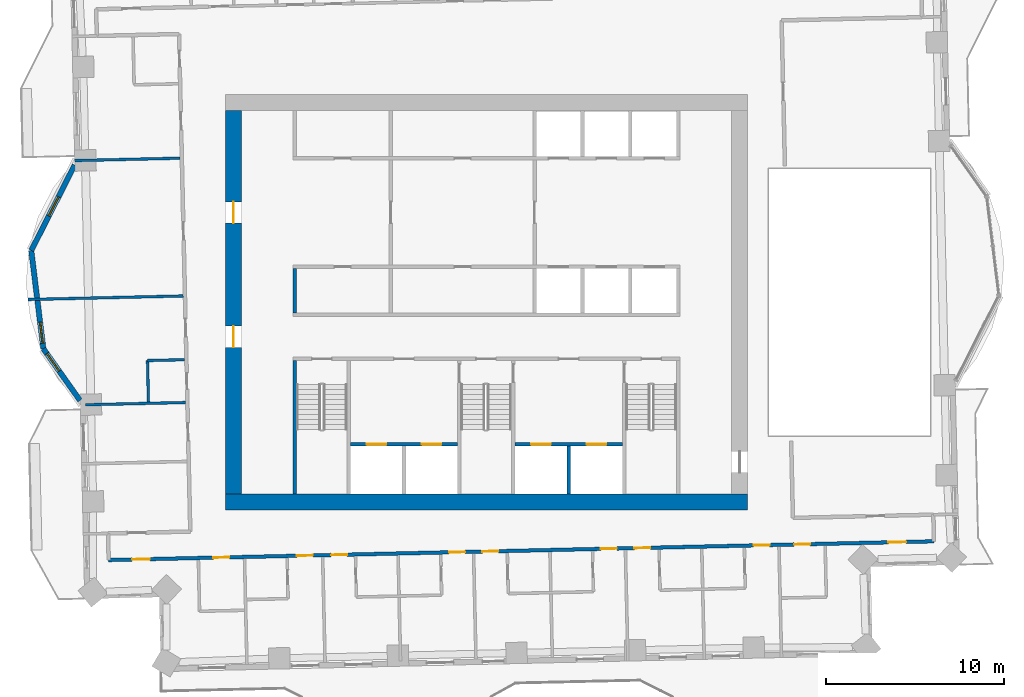
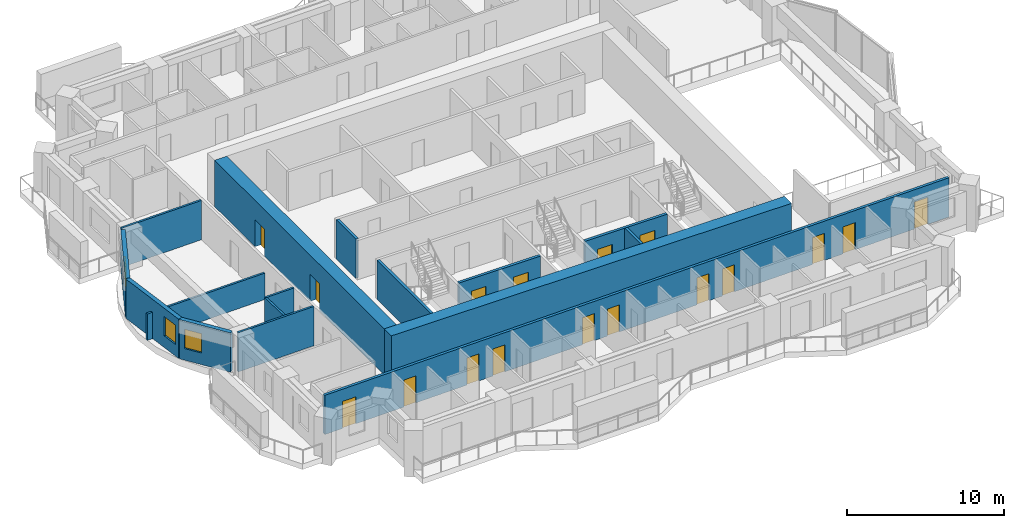
# One storey, part 5 of 14: 17 doors, 16 walls, 3 windows, 20 openings.
"""IFC4 building model written with IfcOpenShell, lengths in metres."""

from ifc_helpers import new_model, si_unit, direction, frame, frame_2d, origin, place, context, subcontext, project, spatial, rectangle, extrude, material, layer, layer_set, type_object, element, fill, save


model = new_model("IFC4")

# Units and contexts
model_context = context("Model", 3, precision=1e-05, world=origin(), true_north=direction((0.0, 1.0)))
body_context = subcontext(model_context, "Body", "Model", "MODEL_VIEW")
ifc_project = project(units=[si_unit("LENGTHUNIT", "METRE"), si_unit("AREAUNIT", "SQUARE_METRE"), si_unit("VOLUMEUNIT", "CUBIC_METRE"), si_unit("PLANEANGLEUNIT", "RADIAN"), si_unit("MASSUNIT", "GRAM", prefix="KILO")], contexts=[model_context])

# Site, building, storey
site_placement = place(None, origin())
site = spatial("IfcSite", under=ifc_project, at=site_placement, CompositionType="ELEMENT")
building_placement = place(site_placement, origin())
building = spatial("IfcBuilding", under=site, at=building_placement, Name="Mangrove Gate Tower", CompositionType="ELEMENT")
storey_placement = place(building_placement, frame((0.0, 0.0, 182.5)))
storey = spatial("IfcBuildingStorey", under=building, at=storey_placement, Name="L46", CompositionType="ELEMENT", Elevation=182.5)

# Wall
ifc_material_1 = material(Name="Concrete C32/40", Category="concrete")
ifc_layer_1 = layer(ifc_material_1, 0.199951171875)
ifc_layer_set_1 = layer_set([ifc_layer_1], Name="Core room wall 200 C32/40")
wall_type_1 = type_object("IfcWallType", Name="Core room wall 200 C32/40", PredefinedType="STANDARD", material=ifc_layer_set_1)
wall_1_placement = place(storey_placement, frame((-10.800048828125, -0.60009765625, 0.0), z_axis=(0.0, 0.0, 1.0), x_axis=(0.0, 1.0, 0.0)))
element("IfcWall", 1, at=wall_1_placement, inside=storey, type_object=wall_type_1, Name="WALL-L46-CORE-19", PredefinedType="STANDARD", context=body_context, shape_type="SweptSolid", body=[
    extrude(rectangle(XDim=2.5, YDim=0.199951171875, at=frame_2d((1.25, 0.0))), origin(), (0.0, 0.0, 1.0), 3.050048828125),
])

# Wall, openings, doors
ifc_material_2 = material(Name="Concrete C60/75", Category="concrete")
ifc_layer_2 = layer(ifc_material_2, 0.199951171875)
ifc_layer_set_2 = layer_set([ifc_layer_2], Name="Core shaft wall 200 C60/75")
wall_type_2 = type_object("IfcWallType", Name="Core shaft wall 200 C60/75", PredefinedType="SHEAR", material=ifc_layer_set_2)
wall_2_placement = place(storey_placement, frame((-7.64990234375, -8.0, 0.0), z_axis=(0.0, 0.0, 1.0), x_axis=(1.0, 0.0, 0.0)))
wall_2 = element("IfcWall", 2, at=wall_2_placement, inside=storey, type_object=wall_type_2, Name="WALL-L46-CORE-15", PredefinedType="SHEAR", context=body_context, shape_type="SweptSolid", body=[
    extrude(rectangle(XDim=6.0, YDim=0.199951171875, at=frame_2d((3.0, 0.0))), origin(), (0.0, 0.0, 1.0), 3.050048828125),
])
opening_1_placement = place(wall_2_placement, frame((0.89990234375, 0.0, 0.0)))
opening_1 = element("IfcOpeningElement", 3, at=opening_1_placement, cuts=wall_2, Name="Opening LD", PredefinedType="OPENING", context=body_context, shape_type="SweptSolid", body=[
    extrude(rectangle(XDim=1.10009765625, YDim=2.10009765625, at=frame_2d((0.550048828125, 1.050048828125))), frame((0.0, 0.10986328125, 0.0), z_axis=(0.0, -1.0, 0.0), x_axis=(1.0, 0.0, 0.0)), (0.0, 0.0, 1.0), 0.219970703125),
])
opening_2_placement = place(wall_2_placement, frame((4.0, 0.0, 0.0)))
opening_2 = element("IfcOpeningElement", 4, at=opening_2_placement, cuts=wall_2, Name="Opening LD", PredefinedType="OPENING", context=body_context, shape_type="SweptSolid", body=[
    extrude(rectangle(XDim=1.10009765625, YDim=2.10009765625, at=frame_2d((0.550048828125, 1.050048828125))), frame((0.0, 0.10986328125, 0.0), z_axis=(0.0, -1.0, 0.0), x_axis=(1.0, 0.0, 0.0)), (0.0, 0.0, 1.0), 0.219970703125),
])
ifc_material_3 = material(Name="Stainless steel 316", Category="steel")
door_type_1 = type_object("IfcDoorType", Name="Lift landing door 1100x2100", OperationType="SLIDING_TO_LEFT", PredefinedType="DOOR", material=ifc_material_3)
door_1_placement = place(opening_1_placement, origin())
door_1 = element("IfcDoor", 5, at=door_1_placement, inside=storey, type_object=door_type_1, Name="Landing door LD SVL1", OperationType="SLIDING_TO_LEFT", OverallHeight=2.10009765625, OverallWidth=1.10009765625, PredefinedType="DOOR", context=body_context, shape_type="SweptSolid", body=[
    extrude(rectangle(XDim=1.10009765625, YDim=2.10009765625, at=frame_2d((0.550048828125, 1.050048828125))), frame((0.0, 0.02490234375, 0.0), z_axis=(0.0, -1.0, 0.0), x_axis=(1.0, 0.0, 0.0)), (0.0, 0.0, 1.0), 0.050048828125),
])
fill(opening_1, door_1)
door_2_placement = place(opening_2_placement, origin())
door_2 = element("IfcDoor", 6, at=door_2_placement, inside=storey, type_object=door_type_1, Name="Landing door LD SVL2", OperationType="SLIDING_TO_LEFT", OverallHeight=2.10009765625, OverallWidth=1.10009765625, PredefinedType="DOOR", context=body_context, shape_type="SweptSolid", body=[
    extrude(rectangle(XDim=1.10009765625, YDim=2.10009765625, at=frame_2d((0.550048828125, 1.050048828125))), frame((0.0, 0.02490234375, 0.0), z_axis=(0.0, -1.0, 0.0), x_axis=(1.0, 0.0, 0.0)), (0.0, 0.0, 1.0), 0.050048828125),
])
fill(opening_2, door_2)

wall_3_placement = place(storey_placement, frame((1.60009765625, -8.0, 0.0), z_axis=(0.0, 0.0, 1.0), x_axis=(1.0, 0.0, 0.0)))
wall_3 = element("IfcWall", 7, at=wall_3_placement, inside=storey, type_object=wall_type_2, Name="WALL-L46-CORE-17", PredefinedType="SHEAR", context=body_context, shape_type="SweptSolid", body=[
    extrude(rectangle(XDim=6.0498046875, YDim=0.199951171875, at=frame_2d((3.02490234375, 0.0))), origin(), (0.0, 0.0, 1.0), 3.050048828125),
])
opening_3_placement = place(wall_3_placement, frame((0.91259765625, 0.0, 0.0)))
opening_3 = element("IfcOpeningElement", 8, at=opening_3_placement, cuts=wall_3, Name="Opening LD", PredefinedType="OPENING", context=body_context, shape_type="SweptSolid", body=[
    extrude(rectangle(XDim=1.10009765625, YDim=2.10009765625, at=frame_2d((0.550048828125, 1.050048828125))), frame((0.0, 0.10986328125, 0.0), z_axis=(0.0, -1.0, 0.0), x_axis=(1.0, 0.0, 0.0)), (0.0, 0.0, 1.0), 0.219970703125),
])
opening_4_placement = place(wall_3_placement, frame((4.03759765625, 0.0, 0.0)))
opening_4 = element("IfcOpeningElement", 9, at=opening_4_placement, cuts=wall_3, Name="Opening LD", PredefinedType="OPENING", context=body_context, shape_type="SweptSolid", body=[
    extrude(rectangle(XDim=1.10009765625, YDim=2.10009765625, at=frame_2d((0.550048828125, 1.050048828125))), frame((0.0, 0.10986328125, 0.0), z_axis=(0.0, -1.0, 0.0), x_axis=(1.0, 0.0, 0.0)), (0.0, 0.0, 1.0), 0.219970703125),
])
door_3_placement = place(opening_3_placement, origin())
door_3 = element("IfcDoor", 10, at=door_3_placement, inside=storey, type_object=door_type_1, Name="Landing door LD FFL1", OperationType="SLIDING_TO_LEFT", OverallHeight=2.10009765625, OverallWidth=1.10009765625, PredefinedType="DOOR", context=body_context, shape_type="SweptSolid", body=[
    extrude(rectangle(XDim=1.10009765625, YDim=2.10009765625, at=frame_2d((0.550048828125, 1.050048828125))), frame((0.0, 0.02490234375, 0.0), z_axis=(0.0, -1.0, 0.0), x_axis=(1.0, 0.0, 0.0)), (0.0, 0.0, 1.0), 0.050048828125),
])
fill(opening_3, door_3)
door_4_placement = place(opening_4_placement, origin())
door_4 = element("IfcDoor", 11, at=door_4_placement, inside=storey, type_object=door_type_1, Name="Landing door LD FFL2", OperationType="SLIDING_TO_LEFT", OverallHeight=2.10009765625, OverallWidth=1.10009765625, PredefinedType="DOOR", context=body_context, shape_type="SweptSolid", body=[
    extrude(rectangle(XDim=1.10009765625, YDim=2.10009765625, at=frame_2d((0.550048828125, 1.050048828125))), frame((0.0, 0.02490234375, 0.0), z_axis=(0.0, -1.0, 0.0), x_axis=(1.0, 0.0, 0.0)), (0.0, 0.0, 1.0), 0.050048828125),
])
fill(opening_4, door_4)

# Walls
wall_4_placement = place(storey_placement, frame((4.625, -10.800048828125, 0.0), z_axis=(0.0, 0.0, 1.0), x_axis=(0.0, 1.0, 0.0)))
element("IfcWall", 12, at=wall_4_placement, inside=storey, type_object=wall_type_2, Name="WALL-L46-CORE-18", PredefinedType="SHEAR", context=body_context, shape_type="SweptSolid", body=[
    extrude(rectangle(XDim=2.699951171875, YDim=0.199951171875, at=frame_2d((1.35009765625, 0.0))), origin(), (0.0, 0.0, 1.0), 3.050048828125),
])
ifc_material_4 = material(Name="Concrete C60/75", Category="concrete")
ifc_layer_3 = layer(ifc_material_4, 0.199951171875)
ifc_layer_set_3 = layer_set([ifc_layer_3], Name="Core stair wall 200 C60/75")
wall_type_3 = type_object("IfcWallType", Name="Core stair wall 200 C60/75", PredefinedType="SHEAR", material=ifc_layer_set_3)
wall_5_placement = place(storey_placement, frame((-10.800048828125, -10.800048828125, 0.0), z_axis=(0.0, 0.0, 1.0), x_axis=(0.0, 1.0, 0.0)))
element("IfcWall", 13, at=wall_5_placement, inside=storey, type_object=wall_type_3, Name="WALL-L46-CORE-9", PredefinedType="SHEAR", context=body_context, shape_type="SweptSolid", body=[
    extrude(rectangle(XDim=7.5, YDim=0.199951171875, at=frame_2d((3.75, 0.0))), origin(), (0.0, 0.0, 1.0), 3.050048828125),
])
ifc_material_5 = material(Name="Concrete C60/75", Category="concrete")
ifc_layer_4 = layer(ifc_material_5, 0.89990234375)
ifc_layer_set_4 = layer_set([ifc_layer_4], Name="Core wall 900 C60/75")
wall_type_4 = type_object("IfcWallType", Name="Core wall 900 C60/75", PredefinedType="SHEAR", material=ifc_layer_set_4)
wall_6_placement = place(storey_placement, frame((-14.699951171875, -11.25, 0.0), z_axis=(0.0, 0.0, 1.0), x_axis=(1.0, 0.0, 0.0)))
element("IfcWall", 14, at=wall_6_placement, inside=storey, type_object=wall_type_4, Name="WALL-L46-CORE-1", PredefinedType="SHEAR", context=body_context, shape_type="SweptSolid", body=[
    extrude(rectangle(XDim=29.39990234375, YDim=0.89990234375, at=frame_2d((14.699951171875, 0.0))), origin(), (0.0, 0.0, 1.0), 3.60009765625),
])

# Wall, openings, doors
wall_7_placement = place(storey_placement, frame((-14.25, -10.800048828125, 0.0), z_axis=(0.0, 0.0, 1.0), x_axis=(0.0, 1.0, 0.0)))
wall_7 = element("IfcWall", 15, at=wall_7_placement, inside=storey, type_object=wall_type_4, Name="WALL-L46-CORE-3", PredefinedType="SHEAR", context=body_context, shape_type="SweptSolid", body=[
    extrude(rectangle(XDim=21.60009765625, YDim=0.89990234375, at=frame_2d((10.800048828125, 0.0))), origin(), (0.0, 0.0, 1.0), 3.60009765625),
])
opening_5_placement = place(wall_7_placement, frame((8.25, 0.0, 0.0)))
opening_5 = element("IfcOpeningElement", 16, at=opening_5_placement, cuts=wall_7, Name="Opening CD", PredefinedType="OPENING", context=body_context, shape_type="SweptSolid", body=[
    extrude(rectangle(XDim=1.199951171875, YDim=2.10009765625, at=frame_2d((0.60009765625, 1.050048828125))), frame((0.0, 0.4599609375, 0.0), z_axis=(0.0, -1.0, 0.0), x_axis=(1.0, 0.0, 0.0)), (0.0, 0.0, 1.0), 0.919921875),
])
opening_6_placement = place(wall_7_placement, frame((15.25, 0.0, 0.0)))
opening_6 = element("IfcOpeningElement", 17, at=opening_6_placement, cuts=wall_7, Name="Opening CD", PredefinedType="OPENING", context=body_context, shape_type="SweptSolid", body=[
    extrude(rectangle(XDim=1.199951171875, YDim=2.10009765625, at=frame_2d((0.60009765625, 1.050048828125))), frame((0.0, 0.4599609375, 0.0), z_axis=(0.0, -1.0, 0.0), x_axis=(1.0, 0.0, 0.0)), (0.0, 0.0, 1.0), 0.919921875),
])
ifc_material_6 = material(Name="Fire-rated steel door set", Category="steel")
door_type_2 = type_object("IfcDoorType", Name="Core ring door FD60 1200x2100", OperationType="DOUBLE_DOOR_SINGLE_SWING", PredefinedType="DOOR", material=ifc_material_6)
door_5_placement = place(opening_5_placement, origin())
door_5 = element("IfcDoor", 18, at=door_5_placement, inside=storey, type_object=door_type_2, Name="Core ring door W1", OperationType="DOUBLE_DOOR_SINGLE_SWING", OverallHeight=2.10009765625, OverallWidth=1.199951171875, PredefinedType="DOOR", context=body_context, shape_type="SweptSolid", body=[
    extrude(rectangle(XDim=1.199951171875, YDim=2.10009765625, at=frame_2d((0.60009765625, 1.050048828125))), frame((0.0, 0.02490234375, 0.0), z_axis=(0.0, -1.0, 0.0), x_axis=(1.0, 0.0, 0.0)), (0.0, 0.0, 1.0), 0.050048828125),
])
fill(opening_5, door_5)
door_6_placement = place(opening_6_placement, origin())
door_6 = element("IfcDoor", 19, at=door_6_placement, inside=storey, type_object=door_type_2, Name="Core ring door W2", OperationType="DOUBLE_DOOR_SINGLE_SWING", OverallHeight=2.10009765625, OverallWidth=1.199951171875, PredefinedType="DOOR", context=body_context, shape_type="SweptSolid", body=[
    extrude(rectangle(XDim=1.199951171875, YDim=2.10009765625, at=frame_2d((0.60009765625, 1.050048828125))), frame((0.0, 0.02490234375, 0.0), z_axis=(0.0, -1.0, 0.0), x_axis=(1.0, 0.0, 0.0)), (0.0, 0.0, 1.0), 0.050048828125),
])
fill(opening_6, door_6)

ifc_material_7 = material(Name="Gypsum board on steel stud, EI 60", Category="steel")
ifc_layer_5 = layer(ifc_material_7, 0.199951171875)
ifc_layer_set_5 = layer_set([ifc_layer_5], Name="Corridor wall EI 60")
wall_type_5 = type_object("IfcWallType", Name="Corridor wall EI 60", PredefinedType="PARTITIONING", material=ifc_layer_set_5)
wall_8_placement = place(storey_placement, frame((-21.279052734375, -14.52294921875, 0.0), z_axis=(0.0, 0.0, 1.0), x_axis=(0.999742878501, 0.022675468818, 0.0)))
wall_8 = element("IfcWall", 20, at=wall_8_placement, inside=storey, type_object=wall_type_5, Name="WALL-L46-024", PredefinedType="PARTITIONING", context=body_context, shape_type="SweptSolid", body=[
    extrude(rectangle(XDim=46.47998046875, YDim=0.199951171875, at=frame_2d((23.239990234375, 0.0))), origin(), (0.0, 0.0, 1.0), 3.050048828125),
])
opening_7_placement = place(wall_8_placement, frame((1.324951171875, 0.0, 0.0)))
opening_7 = element("IfcOpeningElement", 21, at=opening_7_placement, cuts=wall_8, Name="Opening AD", PredefinedType="OPENING", context=body_context, shape_type="SweptSolid", body=[
    extrude(rectangle(XDim=1.0, YDim=2.10009765625, at=frame_2d((0.5, 1.050048828125))), frame((0.0, 0.10986328125, 0.0), z_axis=(0.0, -1.0, 0.0), x_axis=(1.0, 0.0, 0.0)), (0.0, 0.0, 1.0), 0.219970703125),
])
opening_8_placement = place(wall_8_placement, frame((5.89990234375, 0.0, 0.0)))
opening_8 = element("IfcOpeningElement", 22, at=opening_8_placement, cuts=wall_8, Name="Opening SD", PredefinedType="OPENING", context=body_context, shape_type="SweptSolid", body=[
    extrude(rectangle(XDim=0.89990234375, YDim=2.10009765625, at=frame_2d((0.449951171875, 1.050048828125))), frame((0.0, 0.10986328125, 0.0), z_axis=(0.0, -1.0, 0.0), x_axis=(1.0, 0.0, 0.0)), (0.0, 0.0, 1.0), 0.219970703125),
])
opening_9_placement = place(wall_8_placement, frame((10.60009765625, 0.0, 0.0)))
opening_9 = element("IfcOpeningElement", 23, at=opening_9_placement, cuts=wall_8, Name="Opening BD", PredefinedType="OPENING", context=body_context, shape_type="SweptSolid", body=[
    extrude(rectangle(XDim=0.89990234375, YDim=2.10009765625, at=frame_2d((0.449951171875, 1.050048828125))), frame((0.0, 0.10986328125, 0.0), z_axis=(0.0, -1.0, 0.0), x_axis=(1.0, 0.0, 0.0)), (0.0, 0.0, 1.0), 0.219970703125),
])
opening_10_placement = place(wall_8_placement, frame((12.52490234375, 0.0, 0.0)))
opening_10 = element("IfcOpeningElement", 24, at=opening_10_placement, cuts=wall_8, Name="Opening BD", PredefinedType="OPENING", context=body_context, shape_type="SweptSolid", body=[
    extrude(rectangle(XDim=0.89990234375, YDim=2.10009765625, at=frame_2d((0.449951171875, 1.050048828125))), frame((0.0, 0.10986328125, 0.0), z_axis=(0.0, -1.0, 0.0), x_axis=(1.0, 0.0, 0.0)), (0.0, 0.0, 1.0), 0.219970703125),
])
opening_11_placement = place(wall_8_placement, frame((19.175048828125, 0.0, 0.0)))
opening_11 = element("IfcOpeningElement", 25, at=opening_11_placement, cuts=wall_8, Name="Opening BD", PredefinedType="OPENING", context=body_context, shape_type="SweptSolid", body=[
    extrude(rectangle(XDim=0.89990234375, YDim=2.10009765625, at=frame_2d((0.449951171875, 1.050048828125))), frame((0.0, 0.10986328125, 0.0), z_axis=(0.0, -1.0, 0.0), x_axis=(1.0, 0.0, 0.0)), (0.0, 0.0, 1.0), 0.219970703125),
])
opening_12_placement = place(wall_8_placement, frame((21.050048828125, 0.0, 0.0)))
opening_12 = element("IfcOpeningElement", 26, at=opening_12_placement, cuts=wall_8, Name="Opening BD", PredefinedType="OPENING", context=body_context, shape_type="SweptSolid", body=[
    extrude(rectangle(XDim=0.89990234375, YDim=2.10009765625, at=frame_2d((0.449951171875, 1.050048828125))), frame((0.0, 0.10986328125, 0.0), z_axis=(0.0, -1.0, 0.0), x_axis=(1.0, 0.0, 0.0)), (0.0, 0.0, 1.0), 0.219970703125),
])
opening_13_placement = place(wall_8_placement, frame((27.72509765625, 0.0, 0.0)))
opening_13 = element("IfcOpeningElement", 27, at=opening_13_placement, cuts=wall_8, Name="Opening BD", PredefinedType="OPENING", context=body_context, shape_type="SweptSolid", body=[
    extrude(rectangle(XDim=0.89990234375, YDim=2.10009765625, at=frame_2d((0.449951171875, 1.050048828125))), frame((0.0, 0.10986328125, 0.0), z_axis=(0.0, -1.0, 0.0), x_axis=(1.0, 0.0, 0.0)), (0.0, 0.0, 1.0), 0.219970703125),
])
opening_14_placement = place(wall_8_placement, frame((29.60009765625, 0.0, 0.0)))
opening_14 = element("IfcOpeningElement", 28, at=opening_14_placement, cuts=wall_8, Name="Opening BD", PredefinedType="OPENING", context=body_context, shape_type="SweptSolid", body=[
    extrude(rectangle(XDim=0.89990234375, YDim=2.10009765625, at=frame_2d((0.449951171875, 1.050048828125))), frame((0.0, 0.10986328125, 0.0), z_axis=(0.0, -1.0, 0.0), x_axis=(1.0, 0.0, 0.0)), (0.0, 0.0, 1.0), 0.219970703125),
])
opening_15_placement = place(wall_8_placement, frame((36.324951171875, 0.0, 0.0)))
opening_15 = element("IfcOpeningElement", 29, at=opening_15_placement, cuts=wall_8, Name="Opening BD", PredefinedType="OPENING", context=body_context, shape_type="SweptSolid", body=[
    extrude(rectangle(XDim=0.89990234375, YDim=2.10009765625, at=frame_2d((0.449951171875, 1.050048828125))), frame((0.0, 0.10986328125, 0.0), z_axis=(0.0, -1.0, 0.0), x_axis=(1.0, 0.0, 0.0)), (0.0, 0.0, 1.0), 0.219970703125),
])
opening_16_placement = place(wall_8_placement, frame((43.9150390625, 0.0, 0.0)))
opening_16 = element("IfcOpeningElement", 30, at=opening_16_placement, cuts=wall_8, Name="Opening AD", PredefinedType="OPENING", context=body_context, shape_type="SweptSolid", body=[
    extrude(rectangle(XDim=1.0, YDim=2.10009765625, at=frame_2d((0.5, 1.050048828125))), frame((0.0, 0.10986328125, 0.0), z_axis=(0.0, -1.0, 0.0), x_axis=(1.0, 0.0, 0.0)), (0.0, 0.0, 1.0), 0.219970703125),
])
opening_17_placement = place(wall_8_placement, frame((38.60009765625, 0.0, 0.0)))
opening_17 = element("IfcOpeningElement", 31, at=opening_17_placement, cuts=wall_8, Name="Opening SD", PredefinedType="OPENING", context=body_context, shape_type="SweptSolid", body=[
    extrude(rectangle(XDim=0.89990234375, YDim=2.10009765625, at=frame_2d((0.449951171875, 1.050048828125))), frame((0.0, 0.10986328125, 0.0), z_axis=(0.0, -1.0, 0.0), x_axis=(1.0, 0.0, 0.0)), (0.0, 0.0, 1.0), 0.219970703125),
])
ifc_material_8 = material(Name="Timber door leaf", Category="wood")
door_type_3 = type_object("IfcDoorType", Name="Amenity door 1000", OperationType="SINGLE_SWING_LEFT", PredefinedType="DOOR", material=ifc_material_8)
door_7_placement = place(opening_7_placement, origin())
door_7 = element("IfcDoor", 32, at=door_7_placement, inside=storey, type_object=door_type_3, Name="DOOR-L46-GAM-c1a", OperationType="SINGLE_SWING_LEFT", OverallHeight=2.10009765625, OverallWidth=1.0, PredefinedType="DOOR", context=body_context, shape_type="SweptSolid", body=[
    extrude(rectangle(XDim=1.0, YDim=2.10009765625, at=frame_2d((0.5, 1.050048828125))), frame((0.0, 0.02490234375, 0.0), z_axis=(0.0, -1.0, 0.0), x_axis=(1.0, 0.0, 0.0)), (0.0, 0.0, 1.0), 0.050048828125),
])
fill(opening_7, door_7)
door_8_placement = place(opening_16_placement, origin())
door_8 = element("IfcDoor", 33, at=door_8_placement, inside=storey, type_object=door_type_3, Name="DOOR-L46-LNG-c3a", OperationType="SINGLE_SWING_RIGHT", OverallHeight=2.10009765625, OverallWidth=1.0, PredefinedType="DOOR", context=body_context, shape_type="SweptSolid", body=[
    extrude(rectangle(XDim=1.0, YDim=2.10009765625, at=frame_2d((0.5, 1.050048828125))), frame((0.0, 0.02490234375, 0.0), z_axis=(0.0, -1.0, 0.0), x_axis=(1.0, 0.0, 0.0)), (0.0, 0.0, 1.0), 0.050048828125),
])
fill(opening_16, door_8)
ifc_material_9 = material(Name="Timber door leaf", Category="wood")
door_type_4 = type_object("IfcDoorType", Name="Bedroom door 900", OperationType="SINGLE_SWING_LEFT", PredefinedType="DOOR", material=ifc_material_9)
door_9_placement = place(opening_9_placement, origin())
door_9 = element("IfcDoor", 34, at=door_9_placement, inside=storey, type_object=door_type_4, Name="DOOR-L46-BED-c101", OperationType="SINGLE_SWING_LEFT", OverallHeight=2.10009765625, OverallWidth=0.89990234375, PredefinedType="DOOR", context=body_context, shape_type="SweptSolid", body=[
    extrude(rectangle(XDim=0.89990234375, YDim=2.10009765625, at=frame_2d((0.449951171875, 1.050048828125))), frame((0.0, 0.02490234375, 0.0), z_axis=(0.0, -1.0, 0.0), x_axis=(1.0, 0.0, 0.0)), (0.0, 0.0, 1.0), 0.050048828125),
])
fill(opening_9, door_9)
door_10_placement = place(opening_10_placement, origin())
door_10 = element("IfcDoor", 35, at=door_10_placement, inside=storey, type_object=door_type_4, Name="DOOR-L46-BED-c102", OperationType="SINGLE_SWING_RIGHT", OverallHeight=2.10009765625, OverallWidth=0.89990234375, PredefinedType="DOOR", context=body_context, shape_type="SweptSolid", body=[
    extrude(rectangle(XDim=0.89990234375, YDim=2.10009765625, at=frame_2d((0.449951171875, 1.050048828125))), frame((0.0, 0.02490234375, 0.0), z_axis=(0.0, -1.0, 0.0), x_axis=(1.0, 0.0, 0.0)), (0.0, 0.0, 1.0), 0.050048828125),
])
fill(opening_10, door_10)
door_11_placement = place(opening_11_placement, origin())
door_11 = element("IfcDoor", 36, at=door_11_placement, inside=storey, type_object=door_type_4, Name="DOOR-L46-BED-c103", OperationType="SINGLE_SWING_LEFT", OverallHeight=2.10009765625, OverallWidth=0.89990234375, PredefinedType="DOOR", context=body_context, shape_type="SweptSolid", body=[
    extrude(rectangle(XDim=0.89990234375, YDim=2.10009765625, at=frame_2d((0.449951171875, 1.050048828125))), frame((0.0, 0.02490234375, 0.0), z_axis=(0.0, -1.0, 0.0), x_axis=(1.0, 0.0, 0.0)), (0.0, 0.0, 1.0), 0.050048828125),
])
fill(opening_11, door_11)
door_12_placement = place(opening_12_placement, origin())
door_12 = element("IfcDoor", 37, at=door_12_placement, inside=storey, type_object=door_type_4, Name="DOOR-L46-BED-c204", OperationType="SINGLE_SWING_RIGHT", OverallHeight=2.10009765625, OverallWidth=0.89990234375, PredefinedType="DOOR", context=body_context, shape_type="SweptSolid", body=[
    extrude(rectangle(XDim=0.89990234375, YDim=2.10009765625, at=frame_2d((0.449951171875, 1.050048828125))), frame((0.0, 0.02490234375, 0.0), z_axis=(0.0, -1.0, 0.0), x_axis=(1.0, 0.0, 0.0)), (0.0, 0.0, 1.0), 0.050048828125),
])
fill(opening_12, door_12)
door_13_placement = place(opening_13_placement, origin())
door_13 = element("IfcDoor", 38, at=door_13_placement, inside=storey, type_object=door_type_4, Name="DOOR-L46-BED-c205", OperationType="SINGLE_SWING_LEFT", OverallHeight=2.10009765625, OverallWidth=0.89990234375, PredefinedType="DOOR", context=body_context, shape_type="SweptSolid", body=[
    extrude(rectangle(XDim=0.89990234375, YDim=2.10009765625, at=frame_2d((0.449951171875, 1.050048828125))), frame((0.0, 0.02490234375, 0.0), z_axis=(0.0, -1.0, 0.0), x_axis=(1.0, 0.0, 0.0)), (0.0, 0.0, 1.0), 0.050048828125),
])
fill(opening_13, door_13)
door_14_placement = place(opening_14_placement, origin())
door_14 = element("IfcDoor", 39, at=door_14_placement, inside=storey, type_object=door_type_4, Name="DOOR-L46-BED-c206", OperationType="SINGLE_SWING_RIGHT", OverallHeight=2.10009765625, OverallWidth=0.89990234375, PredefinedType="DOOR", context=body_context, shape_type="SweptSolid", body=[
    extrude(rectangle(XDim=0.89990234375, YDim=2.10009765625, at=frame_2d((0.449951171875, 1.050048828125))), frame((0.0, 0.02490234375, 0.0), z_axis=(0.0, -1.0, 0.0), x_axis=(1.0, 0.0, 0.0)), (0.0, 0.0, 1.0), 0.050048828125),
])
fill(opening_14, door_14)
door_15_placement = place(opening_15_placement, origin())
door_15 = element("IfcDoor", 40, at=door_15_placement, inside=storey, type_object=door_type_4, Name="DOOR-L46-BED-c307", OperationType="SINGLE_SWING_LEFT", OverallHeight=2.10009765625, OverallWidth=0.89990234375, PredefinedType="DOOR", context=body_context, shape_type="SweptSolid", body=[
    extrude(rectangle(XDim=0.89990234375, YDim=2.10009765625, at=frame_2d((0.449951171875, 1.050048828125))), frame((0.0, 0.02490234375, 0.0), z_axis=(0.0, -1.0, 0.0), x_axis=(1.0, 0.0, 0.0)), (0.0, 0.0, 1.0), 0.050048828125),
])
fill(opening_15, door_15)
ifc_material_10 = material(Name="Timber door leaf", Category="wood")
door_type_5 = type_object("IfcDoorType", Name="Service room door 900", OperationType="SINGLE_SWING_LEFT", PredefinedType="DOOR", material=ifc_material_10)
door_16_placement = place(opening_8_placement, origin())
door_16 = element("IfcDoor", 41, at=door_16_placement, inside=storey, type_object=door_type_5, Name="DOOR-L46-AWC-c1a", OperationType="SINGLE_SWING_LEFT", OverallHeight=2.10009765625, OverallWidth=0.89990234375, PredefinedType="DOOR", context=body_context, shape_type="SweptSolid", body=[
    extrude(rectangle(XDim=0.89990234375, YDim=2.10009765625, at=frame_2d((0.449951171875, 1.050048828125))), frame((0.0, 0.02490234375, 0.0), z_axis=(0.0, -1.0, 0.0), x_axis=(1.0, 0.0, 0.0)), (0.0, 0.0, 1.0), 0.050048828125),
])
fill(opening_8, door_16)
door_17_placement = place(opening_17_placement, origin())
door_17 = element("IfcDoor", 42, at=door_17_placement, inside=storey, type_object=door_type_5, Name="DOOR-L46-AWC-c3a", OperationType="SINGLE_SWING_RIGHT", OverallHeight=2.10009765625, OverallWidth=0.89990234375, PredefinedType="DOOR", context=body_context, shape_type="SweptSolid", body=[
    extrude(rectangle(XDim=0.89990234375, YDim=2.10009765625, at=frame_2d((0.449951171875, 1.050048828125))), frame((0.0, 0.02490234375, 0.0), z_axis=(0.0, -1.0, 0.0), x_axis=(1.0, 0.0, 0.0)), (0.0, 0.0, 1.0), 0.050048828125),
])
fill(opening_17, door_17)

# Wall, opening, window
ifc_material_11 = material(Name="Limestone", Category="masonry")
ifc_layer_6 = layer(ifc_material_11, 0.0400390625, Name="Limestone cladding")
ifc_material_12 = material(Name="Ventilated air gap")
ifc_layer_7 = layer(ifc_material_12, 0.0400390625, Name="Ventilated cavity")
ifc_material_13 = material(Name="Mineral wool insulation")
ifc_layer_8 = layer(ifc_material_13, 0.06005859375, Name="Insulation")
ifc_material_14 = material(Name="Breather membrane")
ifc_layer_9 = layer(ifc_material_14, 0.001953125, Name="Breather membrane")
ifc_material_15 = material(Name="Concrete C20/25 blockwork", Category="masonry")
ifc_layer_10 = layer(ifc_material_15, 0.14990234375, Name="Blockwork backing wall")
ifc_material_16 = material(Name="Gypsum plaster")
ifc_layer_11 = layer(ifc_material_16, 0.008056640625, Name="Internal plaster")
ifc_layer_set_6 = layer_set([ifc_layer_6, ifc_layer_7, ifc_layer_8, ifc_layer_9, ifc_layer_10, ifc_layer_11], Name="External wall 300 limestone cladding")
wall_type_6 = type_object("IfcWallType", Name="External wall 300 limestone cladding", PredefinedType="SOLIDWALL", material=ifc_layer_set_6)
wall_9_placement = place(storey_placement, frame((-23.194091796875, 7.718994140625, 0.0), z_axis=(0.0, 0.0, 1.0), x_axis=(-0.452597193435, -0.891715078091, 0.0)))
wall_9 = element("IfcWall", 43, at=wall_9_placement, inside=storey, type_object=wall_type_6, Name="WALL-L46-W9f1", PredefinedType="SOLIDWALL", context=body_context, shape_type="SweptSolid", body=[
    extrude(rectangle(XDim=5.3974609375, YDim=0.300048828125, at=frame_2d((2.69873046875, 0.0))), origin(), (0.0, 0.0, 1.0), 3.050048828125),
])
opening_18_placement = place(wall_9_placement, frame((2.007080078125, 0.0, 0.89990234375)))
opening_18 = element("IfcOpeningElement", 44, at=opening_18_placement, cuts=wall_9, Name="Opening W1", PredefinedType="OPENING", context=body_context, shape_type="SweptSolid", body=[
    extrude(rectangle(XDim=1.199951171875, YDim=1.5, at=frame_2d((0.60009765625, 0.75))), frame((0.0, 0.159912109375, 0.0), z_axis=(0.0, -1.0, 0.0), x_axis=(1.0, 0.0, 0.0)), (0.0, 0.0, 1.0), 0.320068359375),
])
ifc_material_17 = material(Name="Aluminium frame with double-glazed low-e glass", Category="aluminium")
window_type = type_object("IfcWindowType", Name="Side lite 1200x1500", PartitioningType="SINGLE_PANEL", PredefinedType="WINDOW", material=ifc_material_17)
window_1_placement = place(opening_18_placement, origin())
window_1 = element("IfcWindow", 45, at=window_1_placement, inside=storey, type_object=window_type, Name="WIN-L46-W9f1", OverallHeight=1.5, OverallWidth=1.199951171875, PartitioningType="SINGLE_PANEL", PredefinedType="WINDOW", context=body_context, shape_type="SweptSolid", body=[
    extrude(rectangle(XDim=1.199951171875, YDim=1.5, at=frame_2d((0.60009765625, 0.75))), frame((0.0, 0.030029296875, 0.0), z_axis=(0.0, -1.0, 0.0), x_axis=(1.0, 0.0, 0.0)), (0.0, 0.0, 1.0), 0.06005859375),
])
fill(opening_18, window_1)

wall_10_placement = place(storey_placement, frame((-25.636962890625, 2.906005859375, 0.0), z_axis=(0.0, 0.0, 1.0), x_axis=(0.122163831021, -0.992509948761, 0.0)))
wall_10 = element("IfcWall", 46, at=wall_10_placement, inside=storey, type_object=wall_type_6, Name="WALL-L46-W9f2", PredefinedType="SOLIDWALL", context=body_context, shape_type="SweptSolid", body=[
    extrude(rectangle(XDim=5.57373046875, YDim=0.300048828125, at=frame_2d((2.786865234375, 0.0))), origin(), (0.0, 0.0, 1.0), 3.050048828125),
])
opening_19_placement = place(wall_10_placement, frame((4.05810546875, 0.0, 0.89990234375)))
opening_19 = element("IfcOpeningElement", 47, at=opening_19_placement, cuts=wall_10, Name="Opening W1", PredefinedType="OPENING", context=body_context, shape_type="SweptSolid", body=[
    extrude(rectangle(XDim=1.199951171875, YDim=1.5, at=frame_2d((0.60009765625, 0.75))), frame((0.0, 0.159912109375, 0.0), z_axis=(0.0, -1.0, 0.0), x_axis=(1.0, 0.0, 0.0)), (0.0, 0.0, 1.0), 0.320068359375),
])
window_2_placement = place(opening_19_placement, origin())
window_2 = element("IfcWindow", 48, at=window_2_placement, inside=storey, type_object=window_type, Name="WIN-L46-W9f2", OverallHeight=1.5, OverallWidth=1.199951171875, PartitioningType="SINGLE_PANEL", PredefinedType="WINDOW", context=body_context, shape_type="SweptSolid", body=[
    extrude(rectangle(XDim=1.199951171875, YDim=1.5, at=frame_2d((0.60009765625, 0.75))), frame((0.0, 0.030029296875, 0.0), z_axis=(0.0, -1.0, 0.0), x_axis=(1.0, 0.0, 0.0)), (0.0, 0.0, 1.0), 0.06005859375),
])
fill(opening_19, window_2)

wall_11_placement = place(storey_placement, frame((-24.9560546875, -2.6259765625, 0.0), z_axis=(0.0, 0.0, 1.0), x_axis=(0.578009745555, -0.816029861, 0.0)))
wall_11 = element("IfcWall", 49, at=wall_11_placement, inside=storey, type_object=wall_type_6, Name="WALL-L46-W9f3", PredefinedType="SOLIDWALL", context=body_context, shape_type="SweptSolid", body=[
    extrude(rectangle(XDim=3.5673828125, YDim=0.300048828125, at=frame_2d((1.78369140625, 0.0))), origin(), (0.0, 0.0, 1.0), 3.050048828125),
])
opening_20_placement = place(wall_11_placement, frame((0.337890625, 0.0, 0.89990234375)))
opening_20 = element("IfcOpeningElement", 50, at=opening_20_placement, cuts=wall_11, Name="Opening W1", PredefinedType="OPENING", context=body_context, shape_type="SweptSolid", body=[
    extrude(rectangle(XDim=1.199951171875, YDim=1.5, at=frame_2d((0.60009765625, 0.75))), frame((0.0, 0.159912109375, 0.0), z_axis=(0.0, -1.0, 0.0), x_axis=(1.0, 0.0, 0.0)), (0.0, 0.0, 1.0), 0.320068359375),
])
window_3_placement = place(opening_20_placement, origin())
window_3 = element("IfcWindow", 51, at=window_3_placement, inside=storey, type_object=window_type, Name="WIN-L46-W9f3", OverallHeight=1.5, OverallWidth=1.199951171875, PartitioningType="SINGLE_PANEL", PredefinedType="WINDOW", context=body_context, shape_type="SweptSolid", body=[
    extrude(rectangle(XDim=1.199951171875, YDim=1.5, at=frame_2d((0.60009765625, 0.75))), frame((0.0, 0.030029296875, 0.0), z_axis=(0.0, -1.0, 0.0), x_axis=(1.0, 0.0, 0.0)), (0.0, 0.0, 1.0), 0.06005859375),
])
fill(opening_20, window_3)

# Walls
ifc_material_18 = material(Name="Gypsum board on steel stud, EI 60", Category="steel")
ifc_layer_12 = layer(ifc_material_18, 0.14990234375)
ifc_layer_set_7 = layer_set([ifc_layer_12], Name="Party wall 150 EI 60")
wall_type_7 = type_object("IfcWallType", Name="Party wall 150 EI 60", PredefinedType="PARTITIONING", material=ifc_layer_set_7)
wall_12_placement = place(storey_placement, frame((-22.577880859375, -5.780029296875, 0.0), z_axis=(0.0, 0.0, 1.0), x_axis=(0.999746200787, 0.022528515532, 0.0)))
element("IfcWall", 52, at=wall_12_placement, inside=storey, type_object=wall_type_7, Name="WALL-L46-034", PredefinedType="PARTITIONING", context=body_context, shape_type="SweptSolid", body=[
    extrude(rectangle(XDim=5.63525390625, YDim=0.14990234375, at=frame_2d((2.817626953125, 0.0))), origin(), (0.0, 0.0, 1.0), 3.050048828125),
])
wall_13_placement = place(storey_placement, frame((-19.0400390625, -5.6201171875, 0.0), z_axis=(0.0, 0.0, 1.0), x_axis=(-0.022788198363, 0.99974031529, 0.0)))
element("IfcWall", 53, at=wall_13_placement, inside=storey, type_object=wall_type_7, Name="WALL-L46-035", PredefinedType="PARTITIONING", context=body_context, shape_type="SweptSolid", body=[
    extrude(rectangle(XDim=2.32470703125, YDim=0.14990234375, at=frame_2d((1.162353515625, 0.0))), origin(), (0.0, 0.0, 1.0), 3.050048828125),
])
wall_14_placement = place(storey_placement, frame((-19.097900390625, -3.291015625, 0.0), z_axis=(0.0, 0.0, 1.0), x_axis=(0.999737555419, 0.022908956429, 0.0)))
element("IfcWall", 54, at=wall_14_placement, inside=storey, type_object=wall_type_7, Name="WALL-L46-036", PredefinedType="PARTITIONING", context=body_context, shape_type="SweptSolid", body=[
    extrude(rectangle(XDim=2.099365234375, YDim=0.14990234375, at=frame_2d((1.0498046875, 0.0))), origin(), (0.0, 0.0, 1.0), 3.050048828125),
])
wall_15_placement = place(storey_placement, frame((-25.824951171875, 0.14697265625, 0.0), z_axis=(0.0, 0.0, 1.0), x_axis=(0.999741244423, 0.022747399821, 0.0)))
element("IfcWall", 55, at=wall_15_placement, inside=storey, type_object=wall_type_7, Name="WALL-L46-037", PredefinedType="PARTITIONING", context=body_context, shape_type="SweptSolid", body=[
    extrude(rectangle(XDim=8.7470703125, YDim=0.14990234375, at=frame_2d((4.37353515625, 0.0))), origin(), (0.0, 0.0, 1.0), 2.050048828125),
])
wall_16_placement = place(storey_placement, frame((-23.18994140625, 7.968994140625, 0.0), z_axis=(0.0, 0.0, 1.0), x_axis=(0.999741261868, 0.022746633113, 0.0)))
element("IfcWall", 56, at=wall_16_placement, inside=storey, type_object=wall_type_7, Name="WALL-L46-039", PredefinedType="PARTITIONING", context=body_context, shape_type="SweptSolid", body=[
    extrude(rectangle(XDim=5.935302734375, YDim=0.14990234375, at=frame_2d((2.9677734375, 0.0))), origin(), (0.0, 0.0, 1.0), 3.050048828125),
])

save(model, "model.ifc")
